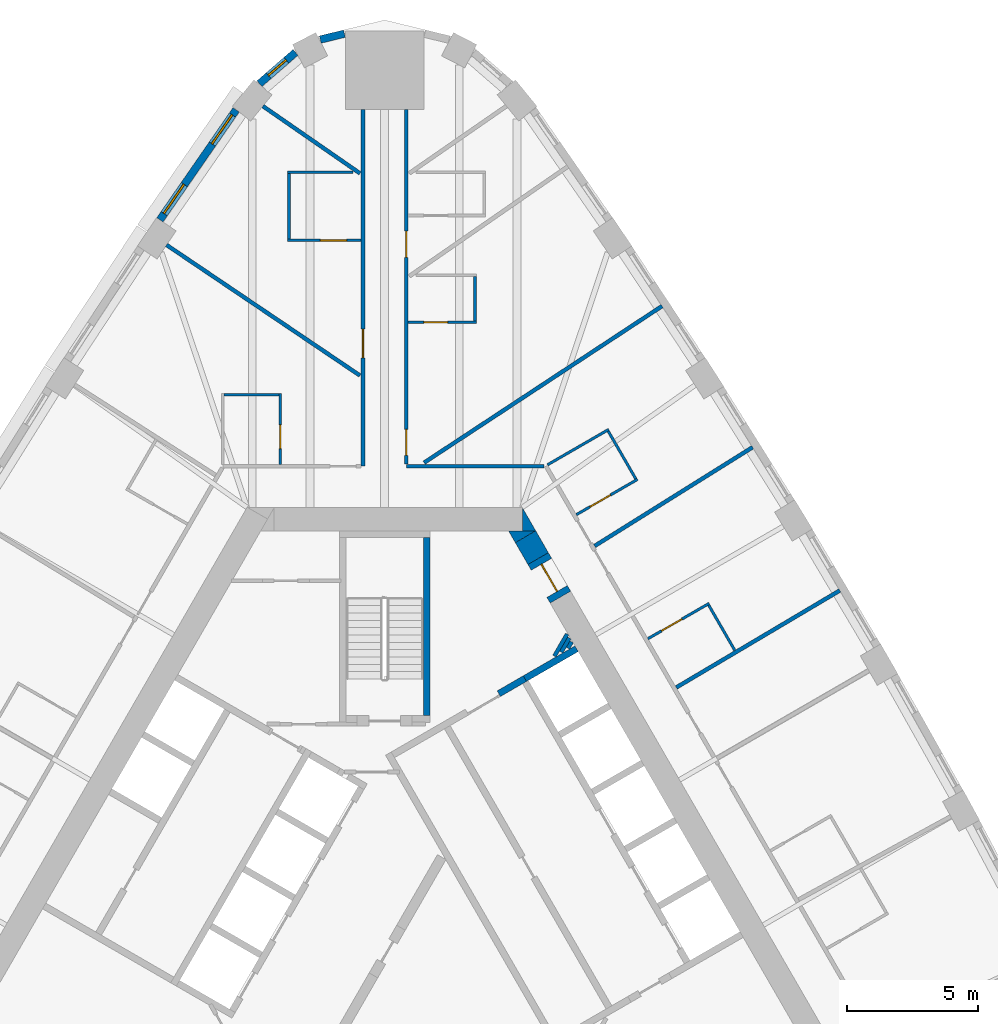
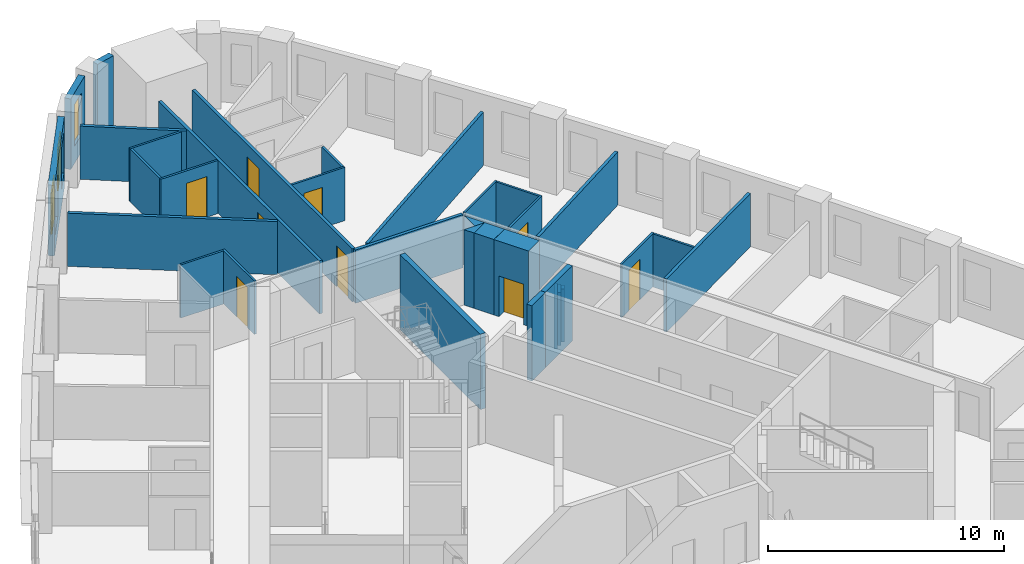
# One storey, part 10 of 12: 33 walls, 9 doors, 3 windows, 12 openings.
"""IFC4 building model written with IfcOpenShell, lengths in metres."""

from ifc_helpers import new_model, si_unit, direction, frame, frame_2d, origin, place, context, subcontext, project, spatial, polyline, rectangle, outline, extrude, material, layer, layer_set, type_object, element, fill, save


model = new_model("IFC4")

# Units and contexts
model_context = context("Model", 3, precision=1e-05, world=origin(), true_north=direction((0.0, 1.0)))
body_context = subcontext(model_context, "Body", "Model", "MODEL_VIEW")
ifc_project = project(units=[si_unit("LENGTHUNIT", "METRE"), si_unit("AREAUNIT", "SQUARE_METRE"), si_unit("VOLUMEUNIT", "CUBIC_METRE"), si_unit("PLANEANGLEUNIT", "RADIAN"), si_unit("MASSUNIT", "GRAM", prefix="KILO")], contexts=[model_context])

# Site, building, storey
site_placement = place(None, origin())
site = spatial("IfcSite", under=ifc_project, at=site_placement, CompositionType="ELEMENT")
building_placement = place(site_placement, origin())
building = spatial("IfcBuilding", under=site, at=building_placement, Name="Mestral Congress Tower", CompositionType="ELEMENT")
storey_placement = place(building_placement, frame((0.0, 0.0, 107.10009765625)))
storey = spatial("IfcBuildingStorey", under=building, at=storey_placement, Name="L25", CompositionType="ELEMENT", Elevation=107.10009765625)

# Walls
ifc_material_1 = material(Name="Fire-rated board partition")
ifc_layer_1 = layer(ifc_material_1, 0.14990234375)
ifc_layer_set_1 = layer_set([ifc_layer_1], Name="Fire-rated board partition")
wall_type_1 = type_object("IfcWallType", Name="Core partition 150", PredefinedType="PARTITIONING", material=ifc_layer_set_1)
wall_1_placement = place(storey_placement, frame((6.481689453125, 11.224609375, 0.0), z_axis=(0.0, 0.0, 1.0), x_axis=(0.5001061818, 0.865964091014, 0.0)))
element("IfcWall", 1, at=wall_1_placement, inside=storey, type_object=wall_type_1, Name="L25 core wall", PredefinedType="PARTITIONING", context=body_context, shape_type="SweptSolid", body=[
    extrude(rectangle(XDim=0.972900390625, YDim=0.14990234375, at=frame_2d((0.486328125, 0.0))), origin(), (0.0, 0.0, 1.0), 2.75),
])
wall_2_placement = place(storey_placement, frame((6.74169921875, 11.374755859375, 0.0), z_axis=(0.0, 0.0, 1.0), x_axis=(0.499744951064, 0.86617260629, 0.0)))
element("IfcWall", 2, at=wall_2_placement, inside=storey, type_object=wall_type_1, Name="L25 core wall", PredefinedType="PARTITIONING", context=body_context, shape_type="SweptSolid", body=[
    extrude(rectangle(XDim=0.626220703125, YDim=0.14990234375, at=frame_2d((0.31298828125, 0.0))), origin(), (0.0, 0.0, 1.0), 2.75),
])
wall_3_placement = place(storey_placement, frame((7.00146484375, 11.524658203125, 0.0), z_axis=(0.0, 0.0, 1.0), x_axis=(0.499797962495, 0.866142018774, 0.0)))
element("IfcWall", 3, at=wall_3_placement, inside=storey, type_object=wall_type_1, Name="L25 core wall", PredefinedType="PARTITIONING", context=body_context, shape_type="SweptSolid", body=[
    extrude(rectangle(XDim=0.27978515625, YDim=0.14990234375, at=frame_2d((0.139892578125, 0.0))), origin(), (0.0, 0.0, 1.0), 2.75),
])
ifc_material_2 = material(Name="Concrete C60/75", Category="concrete")
ifc_layer_2 = layer(ifc_material_2, 0.89990234375)
ifc_layer_set_2 = layer_set([ifc_layer_2], Name="Concrete C60/75")
wall_type_2 = type_object("IfcWallType", Name="Core wall RC 900", PredefinedType="SOLIDWALL", material=ifc_layer_set_2)
placement = place(storey_placement, origin())
element("IfcWall", 4, at=placement, inside=storey, type_object=wall_type_2, Name="L25 core wall", PredefinedType="SOLIDWALL", context=body_context, shape_type="SweptSolid", body=[
    extrude(outline(polyline([(5.265380859375, 16.0), (5.265380859375, 16.8798828125), (5.7734375, 16.0), (5.265380859375, 16.0)])), origin(), (0.0, 0.0, 1.0), 3.89990234375),
])
wall_5_placement = place(storey_placement, frame((5.86083984375, 14.94873046875, 0.0), z_axis=(0.0, 0.0, 1.0), x_axis=(-0.50011719232, 0.865957732194, 0.0)))
element("IfcWall", 5, at=wall_5_placement, inside=storey, type_object=wall_type_2, Name="L25 core wall", PredefinedType="SOLIDWALL", context=body_context, shape_type="SweptSolid", body=[
    extrude(rectangle(XDim=0.963623046875, YDim=0.89990234375, at=frame_2d((0.48193359375, 0.0))), origin(), (0.0, 0.0, 1.0), 3.89990234375),
])
element("IfcWall", 6, at=placement, inside=storey, type_object=wall_type_2, Name="L25 core wall", PredefinedType="SOLIDWALL", context=body_context, shape_type="SweptSolid", body=[
    extrude(outline(polyline([(4.734375, 16.0), (5.75048828125, 16.0), (4.98828125, 15.56005859375), (4.734375, 16.0)])), origin(), (0.0, 0.0, 1.0), 3.89990234375),
])

# Wall, opening, door
wall_7_placement = place(storey_placement, frame((5.86083984375, 14.948486328125, 0.0), z_axis=(0.0, 0.0, 1.0), x_axis=(0.500062241894, -0.865989465428, 0.0)))
wall_7 = element("IfcWall", 7, at=wall_7_placement, inside=storey, type_object=wall_type_2, Name="L25 door wall", PredefinedType="SOLIDWALL", context=body_context, shape_type="SweptSolid", body=[
    extrude(rectangle(XDim=1.699951171875, YDim=0.89990234375, at=frame_2d((0.85009765625, 0.0))), origin(), (0.0, 0.0, 1.0), 3.89990234375),
])
opening_1_placement = place(wall_7_placement, frame((0.25, 0.0, 0.0)))
opening_1 = element("IfcOpeningElement", 8, at=opening_1_placement, cuts=wall_7, Name="Opening XD2", PredefinedType="OPENING", context=body_context, shape_type="SweptSolid", body=[
    extrude(rectangle(XDim=1.199951171875, YDim=2.10009765625, at=frame_2d((0.60009765625, 1.050048828125))), frame((0.0, 0.4599609375, 0.0), z_axis=(0.0, -1.0, 0.0), x_axis=(1.0, 0.0, 0.0)), (0.0, 0.0, 1.0), 0.919921875),
])
ifc_material_3 = material(Name="Fire-rated steel door set", Category="steel")
door_type_1 = type_object("IfcDoorType", Name="Core door XD 1200x2100", OperationType="SINGLE_SWING_LEFT", PredefinedType="DOOR", material=ifc_material_3)
door_1_placement = place(opening_1_placement, origin())
door_1 = element("IfcDoor", 9, at=door_1_placement, inside=storey, type_object=door_type_1, Name="Door XD2", OperationType="SINGLE_SWING_LEFT", OverallHeight=2.10009765625, OverallWidth=1.199951171875, PredefinedType="DOOR", context=body_context, shape_type="SweptSolid", body=[
    extrude(rectangle(XDim=1.199951171875, YDim=2.10009765625, at=frame_2d((0.60009765625, 1.050048828125))), frame((0.0, 0.02490234375, 0.0), z_axis=(0.0, -1.0, 0.0), x_axis=(1.0, 0.0, 0.0)), (0.0, 0.0, 1.0), 0.050048828125),
])
fill(opening_1, door_1)

# Wall
ifc_material_4 = material(Name="Precast concrete C40/50 with limestone facing", Category="masonry")
ifc_layer_3 = layer(ifc_material_4, 0.2900390625)
ifc_layer_set_3 = layer_set([ifc_layer_3], Name="Precast concrete C40/50 with limestone facing")
wall_type_3 = type_object("IfcWallType", Name="Facade stone wall 290", PredefinedType="SOLIDWALL", material=ifc_layer_set_3)
wall_8_placement = place(storey_placement, frame((-1.53515625, 34.9892578125, 0.0), z_axis=(0.0, 0.0, 1.0), x_axis=(-0.971713991574, -0.236160789674, 0.0)))
element("IfcWall", 10, at=wall_8_placement, inside=storey, type_object=wall_type_3, Name="Facade wall K1-2", PredefinedType="SOLIDWALL", context=body_context, shape_type="SweptSolid", body=[
    extrude(rectangle(XDim=0.947021484375, YDim=0.2900390625, at=frame_2d((0.4736328125, 0.0))), origin(), (0.0, 0.0, 1.0), 3.64990234375),
])

# Wall, opening, window
wall_9_placement = place(storey_placement, frame((-3.404541015625, 34.275390625, 0.0), z_axis=(0.0, 0.0, 1.0), x_axis=(-0.754882764627, -0.655859749999, 0.0)))
wall_9 = element("IfcWall", 11, at=wall_9_placement, inside=storey, type_object=wall_type_3, Name="Facade wall K1-3", PredefinedType="SOLIDWALL", context=body_context, shape_type="SweptSolid", body=[
    extrude(rectangle(XDim=1.819580078125, YDim=0.2900390625, at=frame_2d((0.90966796875, 0.0))), origin(), (0.0, 0.0, 1.0), 3.64990234375),
])
opening_2_placement = place(wall_9_placement, frame((0.459716796875, 0.0, 0.89990234375)))
opening_2 = element("IfcOpeningElement", 12, at=opening_2_placement, cuts=wall_9, Name="Opening W3", PredefinedType="OPENING", context=body_context, shape_type="SweptSolid", body=[
    extrude(rectangle(XDim=0.89990234375, YDim=2.14990234375, at=frame_2d((0.449951171875, 1.074951171875))), frame((0.0, 0.155029296875, 0.0), z_axis=(0.0, -1.0, 0.0), x_axis=(1.0, 0.0, 0.0)), (0.0, 0.0, 1.0), 0.31005859375),
])
ifc_material_5 = material(Name="Clear low-emissivity double glazing", Category="glass")
window_type_1 = type_object("IfcWindowType", Name="Facade punched window 900 x 2150 sill 900", PartitioningType="SINGLE_PANEL", PredefinedType="WINDOW", material=ifc_material_5)
window_1_placement = place(opening_2_placement, origin())
window_1 = element("IfcWindow", 13, at=window_1_placement, inside=storey, type_object=window_type_1, Name="Window K1-3", OverallHeight=2.14990234375, OverallWidth=0.89990234375, PartitioningType="SINGLE_PANEL", PredefinedType="WINDOW", context=body_context, shape_type="SweptSolid", body=[
    extrude(rectangle(XDim=0.89990234375, YDim=2.14990234375, at=frame_2d((0.449951171875, 1.074951171875))), frame((0.0, 0.01513671875, 0.0), z_axis=(0.0, -1.0, 0.0), x_axis=(1.0, 0.0, 0.0)), (0.0, 0.0, 1.0), 0.06005859375),
])
fill(opening_2, window_1)

# Wall, openings, windows
wall_10_placement = place(storey_placement, frame((-5.67333984375, 32.0810546875, 0.0), z_axis=(0.0, 0.0, 1.0), x_axis=(-0.569113019126, -0.822259309136, 0.0)))
wall_10 = element("IfcWall", 14, at=wall_10_placement, inside=storey, type_object=wall_type_3, Name="Facade wall F2-00", PredefinedType="SOLIDWALL", context=body_context, shape_type="SweptSolid", body=[
    extrude(rectangle(XDim=5.106689453125, YDim=0.2900390625, at=frame_2d((2.55322265625, 0.0))), origin(), (0.0, 0.0, 1.0), 3.64990234375),
])
opening_3_placement = place(wall_10_placement, frame((0.240478515625, 0.0, 0.89990234375)))
opening_3 = element("IfcOpeningElement", 15, at=opening_3_placement, cuts=wall_10, Name="Opening W2", PredefinedType="OPENING", context=body_context, shape_type="SweptSolid", body=[
    extrude(rectangle(XDim=1.35009765625, YDim=2.14990234375, at=frame_2d((0.675048828125, 1.074951171875))), frame((0.0, 0.155029296875, 0.0), z_axis=(0.0, -1.0, 0.0), x_axis=(1.0, 0.0, 0.0)), (0.0, 0.0, 1.0), 0.31005859375),
])
opening_4_placement = place(wall_10_placement, frame((3.47119140625, 0.0, 0.89990234375)))
opening_4 = element("IfcOpeningElement", 16, at=opening_4_placement, cuts=wall_10, Name="Opening W2", PredefinedType="OPENING", context=body_context, shape_type="SweptSolid", body=[
    extrude(rectangle(XDim=1.35009765625, YDim=2.14990234375, at=frame_2d((0.675048828125, 1.074951171875))), frame((0.0, 0.155029296875, 0.0), z_axis=(0.0, -1.0, 0.0), x_axis=(1.0, 0.0, 0.0)), (0.0, 0.0, 1.0), 0.31005859375),
])
window_type_2 = type_object("IfcWindowType", Name="Facade punched window 1350 x 2150 sill 900", PartitioningType="DOUBLE_PANEL_VERTICAL", PredefinedType="WINDOW", material=ifc_material_5)
window_2_placement = place(opening_3_placement, origin())
window_2 = element("IfcWindow", 17, at=window_2_placement, inside=storey, type_object=window_type_2, Name="Window F2-00a", OverallHeight=2.14990234375, OverallWidth=1.35009765625, PartitioningType="DOUBLE_PANEL_VERTICAL", PredefinedType="WINDOW", context=body_context, shape_type="SweptSolid", body=[
    extrude(rectangle(XDim=1.35009765625, YDim=2.14990234375, at=frame_2d((0.675048828125, 1.074951171875))), frame((0.0, 0.01513671875, 0.0), z_axis=(0.0, -1.0, 0.0), x_axis=(1.0, 0.0, 0.0)), (0.0, 0.0, 1.0), 0.06005859375),
])
fill(opening_3, window_2)
window_3_placement = place(opening_4_placement, origin())
window_3 = element("IfcWindow", 18, at=window_3_placement, inside=storey, type_object=window_type_2, Name="Window F2-00b", OverallHeight=2.14990234375, OverallWidth=1.35009765625, PartitioningType="DOUBLE_PANEL_VERTICAL", PredefinedType="WINDOW", context=body_context, shape_type="SweptSolid", body=[
    extrude(rectangle(XDim=1.35009765625, YDim=2.14990234375, at=frame_2d((0.675048828125, 1.074951171875))), frame((0.0, 0.01513671875, 0.0), z_axis=(0.0, -1.0, 0.0), x_axis=(1.0, 0.0, 0.0)), (0.0, 0.0, 1.0), 0.06005859375),
])
fill(opening_4, window_3)

# Wall, opening, door
ifc_material_6 = material(Name="Gypsum board partition on metal studs with mineral wool", Category="composite")
ifc_layer_4 = layer(ifc_material_6, 0.10009765625)
ifc_layer_set_4 = layer_set([ifc_layer_4], Name="Gypsum board partition on metal studs with mineral wool")
wall_type_4 = type_object("IfcWallType", Name="Hotel partition wall 100", PredefinedType="PARTITIONING", material=ifc_layer_set_4)
wall_11_placement = place(storey_placement, frame((12.390380859375, 13.239013671875, 0.0), z_axis=(0.0, 0.0, 1.0), x_axis=(-0.866036505625, -0.499980770555, 0.0)))
wall_11 = element("IfcWall", 19, at=wall_11_placement, inside=storey, type_object=wall_type_4, Name="L25-h-pod13a", PredefinedType="PARTITIONING", context=body_context, shape_type="SweptSolid", body=[
    extrude(rectangle(XDim=2.69970703125, YDim=0.10009765625, at=frame_2d((1.349853515625, 0.0))), origin(), (0.0, 0.0, 1.0), 2.75),
])
opening_5_placement = place(wall_11_placement, frame((1.199951171875, 0.0, 0.0)))
opening_5 = element("IfcOpeningElement", 20, at=opening_5_placement, cuts=wall_11, Name="Opening H08-022", PredefinedType="OPENING", context=body_context, shape_type="SweptSolid", body=[
    extrude(rectangle(XDim=0.89990234375, YDim=2.10009765625, at=frame_2d((0.449951171875, 1.050048828125))), frame((0.0, 0.06005859375, 0.0), z_axis=(0.0, -1.0, 0.0), x_axis=(1.0, 0.0, 0.0)), (0.0, 0.0, 1.0), 0.1201171875),
])
ifc_material_7 = material(Name="Timber veneer door leaf in timber frame", Category="wood")
door_type_2 = type_object("IfcDoorType", Name="Bathroom door 900", OperationType="SINGLE_SWING_LEFT", PredefinedType="DOOR", material=ifc_material_7)
door_2_placement = place(opening_5_placement, origin())
door_2 = element("IfcDoor", 21, at=door_2_placement, inside=storey, type_object=door_type_2, Name="L25-h-d022", OperationType="SINGLE_SWING_LEFT", OverallHeight=2.10009765625, OverallWidth=0.89990234375, PredefinedType="DOOR", context=body_context, shape_type="SweptSolid", body=[
    extrude(rectangle(XDim=0.89990234375, YDim=2.10009765625, at=frame_2d((0.449951171875, 1.050048828125))), frame((0.0, 0.02490234375, 0.0), z_axis=(0.0, -1.0, 0.0), x_axis=(1.0, 0.0, 0.0)), (0.0, 0.0, 1.0), 0.050048828125),
])
fill(opening_5, door_2)

# Wall
wall_12_placement = place(storey_placement, frame((12.3720703125, 13.1708984375, 0.0), z_axis=(0.0, 0.0, 1.0), x_axis=(0.500044573643, -0.86599966765, 0.0)))
element("IfcWall", 22, at=wall_12_placement, inside=storey, type_object=wall_type_4, Name="L25-h-pod13b", PredefinedType="PARTITIONING", context=body_context, shape_type="SweptSolid", body=[
    extrude(rectangle(XDim=1.989990234375, YDim=0.10009765625, at=frame_2d((0.9951171875, 0.0))), origin(), (0.0, 0.0, 1.0), 2.75),
])

# Wall, opening, door
wall_13_placement = place(storey_placement, frame((7.318115234375, 16.62451171875, 0.0), z_axis=(0.0, 0.0, 1.0), x_axis=(0.866019956843, 0.50000943426, 0.0)))
wall_13 = element("IfcWall", 23, at=wall_13_placement, inside=storey, type_object=wall_type_4, Name="L25-h-pod14a", PredefinedType="PARTITIONING", context=body_context, shape_type="SweptSolid", body=[
    extrude(rectangle(XDim=2.7001953125, YDim=0.10009765625, at=frame_2d((1.35009765625, 0.0))), origin(), (0.0, 0.0, 1.0), 2.75),
])
opening_6_placement = place(wall_13_placement, frame((0.60009765625, 0.0, 0.0)))
opening_6 = element("IfcOpeningElement", 24, at=opening_6_placement, cuts=wall_13, Name="Opening H08-024", PredefinedType="OPENING", context=body_context, shape_type="SweptSolid", body=[
    extrude(rectangle(XDim=0.89990234375, YDim=2.10009765625, at=frame_2d((0.449951171875, 1.050048828125))), frame((0.0, 0.06005859375, 0.0), z_axis=(0.0, -1.0, 0.0), x_axis=(1.0, 0.0, 0.0)), (0.0, 0.0, 1.0), 0.1201171875),
])
door_3_placement = place(opening_6_placement, origin())
door_3 = element("IfcDoor", 25, at=door_3_placement, inside=storey, type_object=door_type_2, Name="L25-h-d024", OperationType="SINGLE_SWING_LEFT", OverallHeight=2.10009765625, OverallWidth=0.89990234375, PredefinedType="DOOR", context=body_context, shape_type="SweptSolid", body=[
    extrude(rectangle(XDim=0.89990234375, YDim=2.10009765625, at=frame_2d((0.449951171875, 1.050048828125))), frame((0.0, 0.02490234375, 0.0), z_axis=(0.0, -1.0, 0.0), x_axis=(1.0, 0.0, 0.0)), (0.0, 0.0, 1.0), 0.050048828125),
])
fill(opening_6, door_3)

# Walls
wall_14_placement = place(storey_placement, frame((9.588134765625, 17.992919921875, 0.0), z_axis=(0.0, 0.0, 1.0), x_axis=(-0.500027713859, 0.866009402589, 0.0)))
element("IfcWall", 26, at=wall_14_placement, inside=storey, type_object=wall_type_4, Name="L25-h-pod14b", PredefinedType="PARTITIONING", context=body_context, shape_type="SweptSolid", body=[
    extrude(rectangle(XDim=2.10009765625, YDim=0.10009765625, at=frame_2d((1.050048828125, 0.0))), origin(), (0.0, 0.0, 1.0), 2.75),
])
wall_15_placement = place(storey_placement, frame((6.21826171875, 18.52978515625, 0.0), z_axis=(0.0, 0.0, 1.0), x_axis=(0.86599734893, 0.500048589285, 0.0)))
element("IfcWall", 27, at=wall_15_placement, inside=storey, type_object=wall_type_4, Name="L25-h-pod14c", PredefinedType="PARTITIONING", context=body_context, shape_type="SweptSolid", body=[
    extrude(rectangle(XDim=2.699951171875, YDim=0.10009765625, at=frame_2d((1.35009765625, 0.0))), origin(), (0.0, 0.0, 1.0), 2.75),
])

# Wall, opening, door
wall_16_placement = place(storey_placement, frame((0.89990234375, 23.968994140625, 0.0), z_axis=(0.0, 0.0, 1.0), x_axis=(1.0, 0.0, 0.0)))
wall_16 = element("IfcWall", 28, at=wall_16_placement, inside=storey, type_object=wall_type_4, Name="L25-h-pod15a", PredefinedType="PARTITIONING", context=body_context, shape_type="SweptSolid", body=[
    extrude(rectangle(XDim=2.60009765625, YDim=0.10009765625, at=frame_2d((1.300048828125, 0.0))), origin(), (0.0, 0.0, 1.0), 2.75),
])
opening_7_placement = place(wall_16_placement, frame((0.60009765625, 0.0, 0.0)))
opening_7 = element("IfcOpeningElement", 29, at=opening_7_placement, cuts=wall_16, Name="Opening H08-026", PredefinedType="OPENING", context=body_context, shape_type="SweptSolid", body=[
    extrude(rectangle(XDim=0.89990234375, YDim=2.10009765625, at=frame_2d((0.449951171875, 1.050048828125))), frame((0.0, 0.06005859375, 0.0), z_axis=(0.0, -1.0, 0.0), x_axis=(1.0, 0.0, 0.0)), (0.0, 0.0, 1.0), 0.1201171875),
])
door_4_placement = place(opening_7_placement, origin())
door_4 = element("IfcDoor", 30, at=door_4_placement, inside=storey, type_object=door_type_2, Name="L25-h-d026", OperationType="SINGLE_SWING_RIGHT", OverallHeight=2.10009765625, OverallWidth=0.89990234375, PredefinedType="DOOR", context=body_context, shape_type="SweptSolid", body=[
    extrude(rectangle(XDim=0.89990234375, YDim=2.10009765625, at=frame_2d((0.449951171875, 1.050048828125))), frame((0.0, 0.02490234375, 0.0), z_axis=(0.0, -1.0, 0.0), x_axis=(1.0, 0.0, 0.0)), (0.0, 0.0, 1.0), 0.050048828125),
])
fill(opening_7, door_4)

# Wall
wall_17_placement = place(storey_placement, frame((3.449951171875, 24.01904296875, 0.0), z_axis=(0.0, 0.0, 1.0), x_axis=(0.0, 1.0, 0.0)))
element("IfcWall", 31, at=wall_17_placement, inside=storey, type_object=wall_type_4, Name="L25-h-pod15b", PredefinedType="PARTITIONING", context=body_context, shape_type="SweptSolid", body=[
    extrude(rectangle(XDim=1.699951171875, YDim=0.10009765625, at=frame_2d((0.85009765625, 0.0))), origin(), (0.0, 0.0, 1.0), 2.75),
])

# Wall, opening, door
wall_18_placement = place(storey_placement, frame((-3.699951171875, 27.097900390625, 0.0), z_axis=(0.0, 0.0, 1.0), x_axis=(1.0, 0.0, 0.0)))
wall_18 = element("IfcWall", 32, at=wall_18_placement, inside=storey, type_object=wall_type_4, Name="L25-h-pod17a", PredefinedType="PARTITIONING", context=body_context, shape_type="SweptSolid", body=[
    extrude(rectangle(XDim=2.800048828125, YDim=0.10009765625, at=frame_2d((1.39990234375, 0.0))), origin(), (0.0, 0.0, 1.0), 2.75),
])
opening_8_placement = place(wall_18_placement, frame((1.25, 0.0, 0.0)))
opening_8 = element("IfcOpeningElement", 33, at=opening_8_placement, cuts=wall_18, Name="Opening H08-030", PredefinedType="OPENING", context=body_context, shape_type="SweptSolid", body=[
    extrude(rectangle(XDim=1.0, YDim=2.10009765625, at=frame_2d((0.5, 1.050048828125))), frame((0.0, 0.06005859375, 0.0), z_axis=(0.0, -1.0, 0.0), x_axis=(1.0, 0.0, 0.0)), (0.0, 0.0, 1.0), 0.1201171875),
])
door_type_3 = type_object("IfcDoorType", Name="Accessible bathroom door 1000", OperationType="SINGLE_SWING_LEFT", PredefinedType="DOOR", material=ifc_material_7)
door_5_placement = place(opening_8_placement, origin())
door_5 = element("IfcDoor", 34, at=door_5_placement, inside=storey, type_object=door_type_3, Name="L25-h-d030", OperationType="SINGLE_SWING_LEFT", OverallHeight=2.10009765625, OverallWidth=1.0, PredefinedType="DOOR", context=body_context, shape_type="SweptSolid", body=[
    extrude(rectangle(XDim=1.0, YDim=2.10009765625, at=frame_2d((0.5, 1.050048828125))), frame((0.0, 0.02490234375, 0.0), z_axis=(0.0, -1.0, 0.0), x_axis=(1.0, 0.0, 0.0)), (0.0, 0.0, 1.0), 0.050048828125),
])
fill(opening_8, door_5)

# Walls
for number, where, z_axis, x_axis, name in (
    (35, (-3.64990234375, 27.14794921875, 0.0), (0.0, 0.0, 1.0), (0.0, 1.0, 0.0), "L25-h-pod17b"),
    (36, (-1.199951171875, 29.697998046875, 0.0), (0.0, 0.0, 1.0), (-1.0, 0.0, 0.0), "L25-h-pod17c"),
):
    element("IfcWall", number, at=place(storey_placement, frame(where, z_axis=z_axis, x_axis=x_axis)), inside=storey, type_object=wall_type_4, Name=name, PredefinedType="PARTITIONING", context=body_context, shape_type="SweptSolid", body=[
        extrude(rectangle(XDim=2.5, YDim=0.10009765625, at=frame_2d((1.25, 0.0))), origin(), (0.0, 0.0, 1.0), 2.75),
    ])

# Wall, opening, door
wall_19_placement = place(storey_placement, frame((-3.983154296875, 18.550048828125, 0.0), z_axis=(0.0, 0.0, 1.0), x_axis=(0.0, 1.0, 0.0)))
wall_19 = element("IfcWall", 37, at=wall_19_placement, inside=storey, type_object=wall_type_4, Name="L25-h-pod18a", PredefinedType="PARTITIONING", context=body_context, shape_type="SweptSolid", body=[
    extrude(rectangle(XDim=2.699951171875, YDim=0.10009765625, at=frame_2d((1.35009765625, 0.0))), origin(), (0.0, 0.0, 1.0), 2.75),
])
opening_9_placement = place(wall_19_placement, frame((0.60009765625, 0.0, 0.0)))
opening_9 = element("IfcOpeningElement", 38, at=opening_9_placement, cuts=wall_19, Name="Opening H08-032", PredefinedType="OPENING", context=body_context, shape_type="SweptSolid", body=[
    extrude(rectangle(XDim=0.89990234375, YDim=2.10009765625, at=frame_2d((0.449951171875, 1.050048828125))), frame((0.0, 0.06005859375, 0.0), z_axis=(0.0, -1.0, 0.0), x_axis=(1.0, 0.0, 0.0)), (0.0, 0.0, 1.0), 0.1201171875),
])
door_6_placement = place(opening_9_placement, origin())
door_6 = element("IfcDoor", 39, at=door_6_placement, inside=storey, type_object=door_type_2, Name="L25-h-d032", OperationType="SINGLE_SWING_RIGHT", OverallHeight=2.10009765625, OverallWidth=0.89990234375, PredefinedType="DOOR", context=body_context, shape_type="SweptSolid", body=[
    extrude(rectangle(XDim=0.89990234375, YDim=2.10009765625, at=frame_2d((0.449951171875, 1.050048828125))), frame((0.0, 0.02490234375, 0.0), z_axis=(0.0, -1.0, 0.0), x_axis=(1.0, 0.0, 0.0)), (0.0, 0.0, 1.0), 0.050048828125),
])
fill(opening_9, door_6)

# Walls
wall_20_placement = place(storey_placement, frame((-4.033203125, 21.199951171875, 0.0), z_axis=(0.0, 0.0, 1.0), x_axis=(-1.0, 0.0, 0.0)))
element("IfcWall", 40, at=wall_20_placement, inside=storey, type_object=wall_type_4, Name="L25-h-pod18b", PredefinedType="PARTITIONING", context=body_context, shape_type="SweptSolid", body=[
    extrude(rectangle(XDim=2.10009765625, YDim=0.10009765625, at=frame_2d((1.050048828125, 0.0))), origin(), (0.0, 0.0, 1.0), 2.75),
])
ifc_layer_5 = layer(ifc_material_6, 0.14990234375)
ifc_layer_set_5 = layer_set([ifc_layer_5], Name="Gypsum board partition on metal studs with mineral wool")
wall_type_5 = type_object("IfcWallType", Name="Hotel partition wall 150", PredefinedType="PARTITIONING", material=ifc_layer_set_5)
wall_21_placement = place(storey_placement, frame((0.824951171875, 18.47509765625, 0.0), z_axis=(0.0, 0.0, 1.0), x_axis=(1.0, 0.0, 0.0)))
element("IfcWall", 41, at=wall_21_placement, inside=storey, type_object=wall_type_5, Name="L25-h-cw04", PredefinedType="PARTITIONING", context=body_context, shape_type="SweptSolid", body=[
    extrude(rectangle(XDim=5.268310546875, YDim=0.14990234375, at=frame_2d((2.63427734375, 0.0))), origin(), (0.0, 0.0, 1.0), 2.75),
])

# Wall, openings, doors
wall_22_placement = place(storey_placement, frame((0.824951171875, 32.098388671875, 0.0), z_axis=(0.0, 0.0, 1.0), x_axis=(0.0, -1.0, 0.0)))
wall_22 = element("IfcWall", 42, at=wall_22_placement, inside=storey, type_object=wall_type_5, Name="L25-h-cw05", PredefinedType="PARTITIONING", context=body_context, shape_type="SweptSolid", body=[
    extrude(rectangle(XDim=13.54345703125, YDim=0.14990234375, at=frame_2d((6.771728515625, 0.0))), origin(), (0.0, 0.0, 1.0), 2.75),
])
opening_10_placement = place(wall_22_placement, frame((12.21337890625, 0.0, 0.0)))
opening_10 = element("IfcOpeningElement", 43, at=opening_10_placement, cuts=wall_22, Name="Opening H08-025", PredefinedType="OPENING", context=body_context, shape_type="SweptSolid", body=[
    extrude(rectangle(XDim=1.0, YDim=2.10009765625, at=frame_2d((0.5, 1.050048828125))), frame((0.0, 0.0849609375, 0.0), z_axis=(0.0, -1.0, 0.0), x_axis=(1.0, 0.0, 0.0)), (0.0, 0.0, 1.0), 0.169921875),
])
opening_11_placement = place(wall_22_placement, frame((4.650146484375, 0.0, 0.0)))
opening_11 = element("IfcOpeningElement", 44, at=opening_11_placement, cuts=wall_22, Name="Opening H08-027", PredefinedType="OPENING", context=body_context, shape_type="SweptSolid", body=[
    extrude(rectangle(XDim=1.0, YDim=2.10009765625, at=frame_2d((0.5, 1.050048828125))), frame((0.0, 0.0849609375, 0.0), z_axis=(0.0, -1.0, 0.0), x_axis=(1.0, 0.0, 0.0)), (0.0, 0.0, 1.0), 0.169921875),
])
ifc_material_8 = material(Name="Timber veneer door leaf in metal frame", Category="wood")
door_type_4 = type_object("IfcDoorType", Name="Guest room entrance door 1000", OperationType="SINGLE_SWING_LEFT", PredefinedType="DOOR", material=ifc_material_8)
door_7_placement = place(opening_10_placement, origin())
door_7 = element("IfcDoor", 45, at=door_7_placement, inside=storey, type_object=door_type_4, Name="L25-h-d025", OperationType="SINGLE_SWING_RIGHT", OverallHeight=2.10009765625, OverallWidth=1.0, PredefinedType="DOOR", context=body_context, shape_type="SweptSolid", body=[
    extrude(rectangle(XDim=1.0, YDim=2.10009765625, at=frame_2d((0.5, 1.050048828125))), frame((0.0, 0.02490234375, 0.0), z_axis=(0.0, -1.0, 0.0), x_axis=(1.0, 0.0, 0.0)), (0.0, 0.0, 1.0), 0.050048828125),
])
fill(opening_10, door_7)
door_8_placement = place(opening_11_placement, origin())
door_8 = element("IfcDoor", 46, at=door_8_placement, inside=storey, type_object=door_type_4, Name="L25-h-d027", OperationType="SINGLE_SWING_RIGHT", OverallHeight=2.10009765625, OverallWidth=1.0, PredefinedType="DOOR", context=body_context, shape_type="SweptSolid", body=[
    extrude(rectangle(XDim=1.0, YDim=2.10009765625, at=frame_2d((0.5, 1.050048828125))), frame((0.0, 0.02490234375, 0.0), z_axis=(0.0, -1.0, 0.0), x_axis=(1.0, 0.0, 0.0)), (0.0, 0.0, 1.0), 0.050048828125),
])
fill(opening_11, door_8)

# Wall, opening, door
wall_23_placement = place(storey_placement, frame((-0.824951171875, 18.47509765625, 0.0), z_axis=(0.0, 0.0, 1.0), x_axis=(0.0, 1.0, 0.0)))
wall_23 = element("IfcWall", 47, at=wall_23_placement, inside=storey, type_object=wall_type_5, Name="L25-h-cw06", PredefinedType="PARTITIONING", context=body_context, shape_type="SweptSolid", body=[
    extrude(rectangle(XDim=13.623291015625, YDim=0.14990234375, at=frame_2d((6.8115234375, 0.0))), origin(), (0.0, 0.0, 1.0), 2.75),
])
opening_12_placement = place(wall_23_placement, frame((4.13525390625, 0.0, 0.0)))
opening_12 = element("IfcOpeningElement", 48, at=opening_12_placement, cuts=wall_23, Name="Opening H08-029", PredefinedType="OPENING", context=body_context, shape_type="SweptSolid", body=[
    extrude(rectangle(XDim=1.10009765625, YDim=2.10009765625, at=frame_2d((0.550048828125, 1.050048828125))), frame((0.0, 0.0849609375, 0.0), z_axis=(0.0, -1.0, 0.0), x_axis=(1.0, 0.0, 0.0)), (0.0, 0.0, 1.0), 0.169921875),
])
door_type_5 = type_object("IfcDoorType", Name="Accessible room entrance door 1100", OperationType="SINGLE_SWING_LEFT", PredefinedType="DOOR", material=ifc_material_8)
door_9_placement = place(opening_12_placement, origin())
door_9 = element("IfcDoor", 49, at=door_9_placement, inside=storey, type_object=door_type_5, Name="L25-h-d029", OperationType="SINGLE_SWING_LEFT", OverallHeight=2.10009765625, OverallWidth=1.10009765625, PredefinedType="DOOR", context=body_context, shape_type="SweptSolid", body=[
    extrude(rectangle(XDim=1.10009765625, YDim=2.10009765625, at=frame_2d((0.550048828125, 1.050048828125))), frame((0.0, 0.02490234375, 0.0), z_axis=(0.0, -1.0, 0.0), x_axis=(1.0, 0.0, 0.0)), (0.0, 0.0, 1.0), 0.050048828125),
])
fill(opening_12, door_9)

# Walls
wall_24_placement = place(storey_placement, frame((-8.32568359375, 26.922607421875, 0.0), z_axis=(0.0, 0.0, 1.0), x_axis=(0.828836601893, -0.5594907393, 0.0)))
element("IfcWall", 50, at=wall_24_placement, inside=storey, type_object=wall_type_5, Name="L25-h-pw11", PredefinedType="PARTITIONING", context=body_context, shape_type="SweptSolid", body=[
    extrude(rectangle(XDim=8.9091796875, YDim=0.14990234375, at=frame_2d((4.45458984375, 0.0))), origin(), (0.0, 0.0, 1.0), 2.75),
])
wall_25_placement = place(storey_placement, frame((-4.649169921875, 32.223388671875, 0.0), z_axis=(0.0, 0.0, 1.0), x_axis=(0.822262349475, -0.569108626394, 0.0)))
element("IfcWall", 51, at=wall_25_placement, inside=storey, type_object=wall_type_5, Name="L25-h-pw12", PredefinedType="PARTITIONING", context=body_context, shape_type="SweptSolid", body=[
    extrude(rectangle(XDim=4.509521484375, YDim=0.14990234375, at=frame_2d((2.2548828125, 0.0))), origin(), (0.0, 0.0, 1.0), 2.75),
])
wall_26_placement = place(storey_placement, frame((10.591552734375, 24.589111328125, 0.0), z_axis=(0.0, 0.0, 1.0), x_axis=(-0.835337323748, -0.549737715236, 0.0)))
element("IfcWall", 52, at=wall_26_placement, inside=storey, type_object=wall_type_5, Name="L25-h-pw15", PredefinedType="PARTITIONING", context=body_context, shape_type="SweptSolid", body=[
    extrude(rectangle(XDim=10.875244140625, YDim=0.14990234375, at=frame_2d((5.4375, 0.0))), origin(), (0.0, 0.0, 1.0), 2.75),
])
wall_27_placement = place(storey_placement, frame((14.048828125, 19.19970703125, 0.0), z_axis=(0.0, 0.0, 1.0), x_axis=(-0.847955867271, -0.530066832731, 0.0)))
element("IfcWall", 53, at=wall_27_placement, inside=storey, type_object=wall_type_5, Name="L25-h-pw18", PredefinedType="PARTITIONING", context=body_context, shape_type="SweptSolid", body=[
    extrude(rectangle(XDim=7.111083984375, YDim=0.14990234375, at=frame_2d((3.5556640625, 0.0))), origin(), (0.0, 0.0, 1.0), 2.75),
])
wall_28_placement = place(storey_placement, frame((17.379150390625, 13.730712890625, 0.0), z_axis=(0.0, 0.0, 1.0), x_axis=(-0.860132461691, -0.510070728768, 0.0)))
element("IfcWall", 54, at=wall_28_placement, inside=storey, type_object=wall_type_5, Name="L25-h-pw19", PredefinedType="PARTITIONING", context=body_context, shape_type="SweptSolid", body=[
    extrude(rectangle(XDim=7.256591796875, YDim=0.14990234375, at=frame_2d((3.62841796875, 0.0))), origin(), (0.0, 0.0, 1.0), 2.75),
])
ifc_layer_6 = layer(ifc_material_2, 0.25)
ifc_layer_set_6 = layer_set([ifc_layer_6], Name="Concrete C60/75")
wall_type_6 = type_object("IfcWallType", Name="Shaft wall RC 250", PredefinedType="SOLIDWALL", material=ifc_layer_set_6)
wall_29_placement = place(storey_placement, frame((4.3583984375, 9.791015625, 0.0), z_axis=(0.0, 0.0, 1.0), x_axis=(0.866079547155, 0.499906209203, 0.0)))
element("IfcWall", 55, at=wall_29_placement, inside=storey, type_object=wall_type_6, Name="L25 core wall", PredefinedType="SOLIDWALL", context=body_context, shape_type="SweptSolid", body=[
    extrude(rectangle(XDim=1.150146484375, YDim=0.25, at=frame_2d((0.5751953125, 0.0))), origin(), (0.0, 0.0, 1.0), 3.89990234375),
])
wall_30_placement = place(storey_placement, frame((5.356201171875, 10.366943359375, 0.0), z_axis=(0.0, 0.0, 1.0), x_axis=(0.865978535641, 0.50008116922, 0.0)))
element("IfcWall", 56, at=wall_30_placement, inside=storey, type_object=wall_type_6, Name="L25 core wall", PredefinedType="SOLIDWALL", context=body_context, shape_type="SweptSolid", body=[
    extrude(rectangle(XDim=2.27783203125, YDim=0.25, at=frame_2d((1.138916015625, 0.0))), origin(), (0.0, 0.0, 1.0), 3.89990234375),
])
ifc_layer_7 = layer(ifc_material_2, 0.25)
ifc_layer_set_7 = layer_set([ifc_layer_7], Name="Concrete C60/75")
wall_type_7 = type_object("IfcWallType", Name="Stair wall RC 250", PredefinedType="SOLIDWALL", material=ifc_layer_set_7)
wall_31_placement = place(storey_placement, frame((1.60009765625, 8.949951171875, 0.0), z_axis=(0.0, 0.0, 1.0), x_axis=(0.0, 1.0, 0.0)))
element("IfcWall", 57, at=wall_31_placement, inside=storey, type_object=wall_type_7, Name="L25 core wall", PredefinedType="SOLIDWALL", context=body_context, shape_type="SweptSolid", body=[
    extrude(rectangle(XDim=6.800048828125, YDim=0.25, at=frame_2d((3.39990234375, 0.0))), origin(), (0.0, 0.0, 1.0), 3.89990234375),
])

save(model, "model.ifc")
